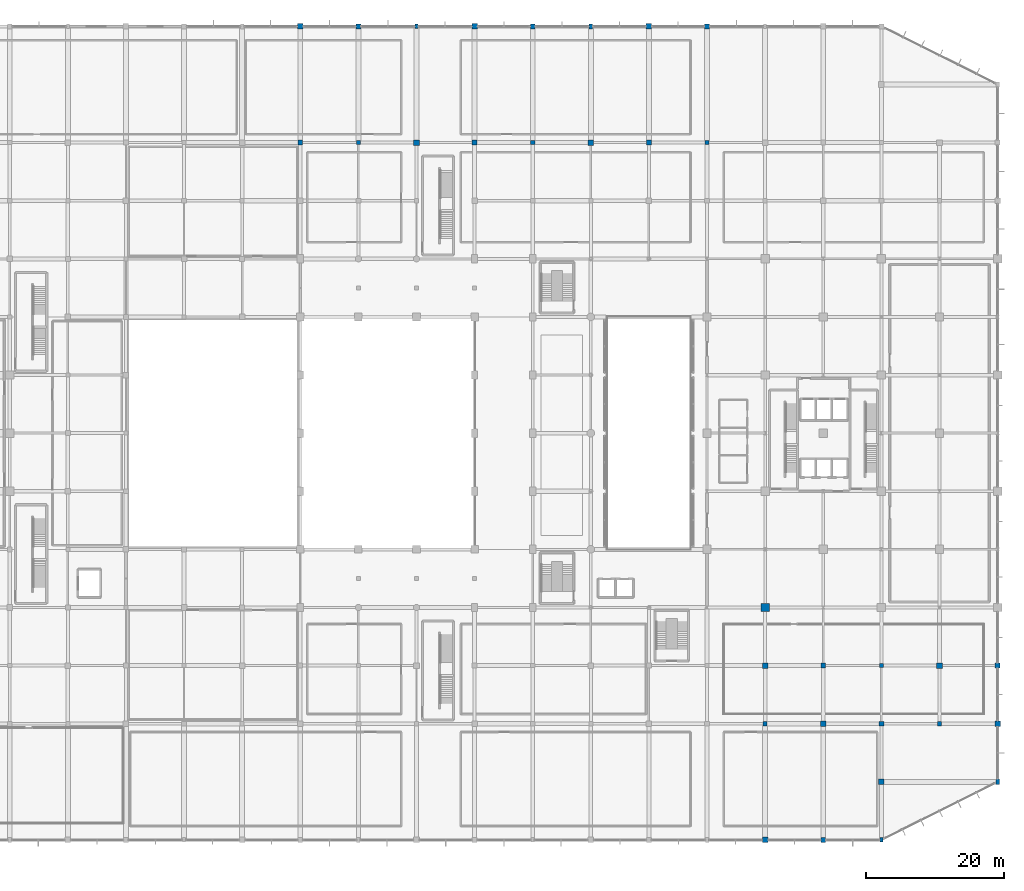
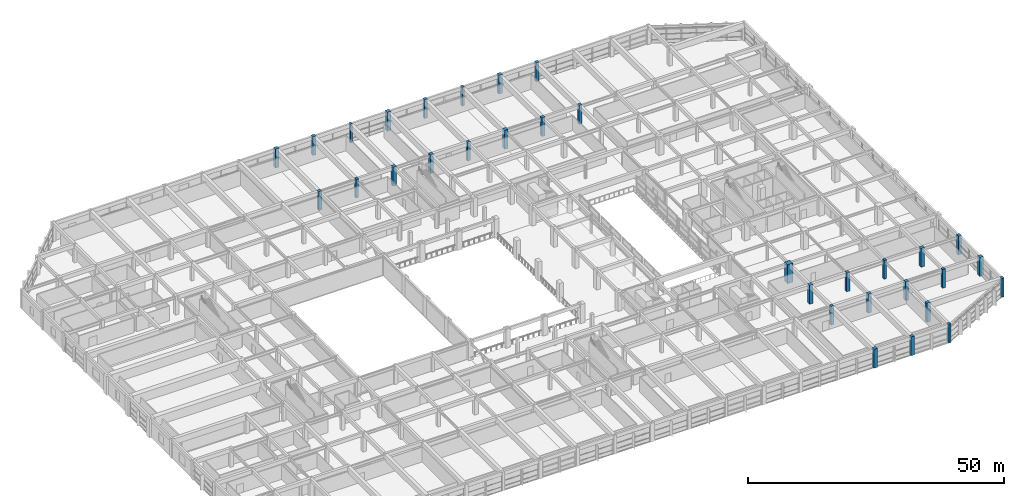
# One storey, part 5 of 65: 32 columns.
"""IFC4 building model written with IfcOpenShell, lengths in metres."""

from ifc_helpers import new_model, si_unit, direction, frame, origin, origin_2d, place, context, subcontext, project, spatial, rectangle, extrude, material, material_profile, profile_set, type_object, element, save


model = new_model("IFC4")

# Units and contexts
model_context = context("Model", 3, precision=1e-05, world=origin(), true_north=direction((0.0, 1.0)))
body_context = subcontext(model_context, "Body", "Model", "MODEL_VIEW")
ifc_project = project(units=[si_unit("LENGTHUNIT", "METRE"), si_unit("AREAUNIT", "SQUARE_METRE"), si_unit("VOLUMEUNIT", "CUBIC_METRE"), si_unit("PLANEANGLEUNIT", "RADIAN"), si_unit("MASSUNIT", "GRAM", prefix="KILO")], contexts=[model_context])

# Site, building, storey
site_placement = place(None, origin())
site = spatial("IfcSite", under=ifc_project, at=site_placement, CompositionType="ELEMENT")
building_placement = place(site_placement, origin())
building = spatial("IfcBuilding", under=site, at=building_placement, Name="Xuanlan Plaza Opera House", CompositionType="ELEMENT")
storey_placement = place(building_placement, frame((0.0, 0.0, 5.39990234375)))
storey = spatial("IfcBuildingStorey", under=building, at=storey_placement, Name="L01", CompositionType="ELEMENT", Elevation=5.39990234375)

# Columns
ifc_material_1 = material(Name="Concrete C60", Category="concrete")
ifc_material_profile_1 = material_profile(ifc_material_1, rectangle(XDim=1.199951171875, YDim=1.199951171875, at=origin_2d()), Name="RC-COL 1200x1200")
ifc_profile_set_1 = profile_set([ifc_material_profile_1], Name="Concrete C60")
column_type_1 = type_object("IfcColumnType", Name="STR-COL-C-02", PredefinedType="COLUMN", material=ifc_profile_set_1)
column_placement = place(storey_placement, frame((134.39990234375, 33.60009765625, 0.0), z_axis=(0.0, 0.0, 1.0), x_axis=(1.0, 0.0, 0.0)))
element("IfcColumn", 1, at=column_placement, inside=storey, type_object=column_type_1, Name="Column L01 17-E", PredefinedType="COLUMN", context=body_context, shape_type="SweptSolid", body=[
    extrude(rectangle(XDim=1.199951171875, YDim=1.199951171875, at=origin_2d()), origin(), (0.0, 0.0, 1.0), 4.5),
])
ifc_material_2 = material(Name="Concrete C40", Category="concrete")
ifc_material_profile_2 = material_profile(ifc_material_2, rectangle(XDim=0.800048828125, YDim=0.800048828125, at=origin_2d()), Name="RC-COL 800x800")
ifc_profile_set_2 = profile_set([ifc_material_profile_2], Name="Concrete C40")
column_type_2 = type_object("IfcColumnType", Name="STR-COL-C-06", PredefinedType="COLUMN", material=ifc_profile_set_2)
for number, where, z_axis, x_axis, name in (
    (2, (67.199951171875, 117.60009765625, 0.0), (0.0, 0.0, 1.0), (1.0, 0.0, 0.0), "Column L01 9-O"),
    (3, (84.0, 100.800048828125, 0.0), (0.0, 0.0, 1.0), (1.0, 0.0, 0.0), "Column L01 11-M"),
    (4, (92.39990234375, 117.60009765625, 0.0), (0.0, 0.0, 1.0), (1.0, 0.0, 0.0), "Column L01 12-O"),
    (5, (109.199951171875, 100.800048828125, 0.0), (0.0, 0.0, 1.0), (1.0, 0.0, 0.0), "Column L01 14-M"),
    (6, (117.60009765625, 117.60009765625, 0.0), (0.0, 0.0, 1.0), (1.0, 0.0, 0.0), "Column L01 15-O"),
    (7, (134.39990234375, 0.0, 0.0), (0.0, 0.0, 1.0), (1.0, 0.0, 0.0), "Column L01 17-A"),
    (8, (134.39990234375, 25.199951171875, 0.0), (0.0, 0.0, 1.0), (1.0, 0.0, 0.0), "Column L01 17-D"),
    (9, (142.800048828125, 16.800048828125, 0.0), (0.0, 0.0, 1.0), (1.0, 0.0, 0.0), "Column L01 18-C"),
    (10, (151.199951171875, 8.39990234375, 0.0), (0.0, 0.0, 1.0), (1.0, 0.0, 0.0), "Column L01 19-B"),
    (11, (159.60009765625, 25.199951171875, 0.0), (0.0, 0.0, 1.0), (1.0, 0.0, 0.0), "Column L01 20-D"),
    (12, (168.0, 16.800048828125, 0.0), (0.0, 0.0, 1.0), (1.0, 0.0, 0.0), "Column L01 21-C"),
):
    element("IfcColumn", number, at=place(storey_placement, frame(where, z_axis=z_axis, x_axis=x_axis)), inside=storey, type_object=column_type_2, Name=name, PredefinedType="COLUMN", context=body_context, shape_type="SweptSolid", body=[
        extrude(rectangle(XDim=0.800048828125, YDim=0.800048828125, at=origin_2d()), origin(), (0.0, 0.0, 1.0), 4.5),
    ])
ifc_material_profile_3 = material_profile(ifc_material_2, rectangle(XDim=0.699951171875, YDim=0.699951171875, at=origin_2d()), Name="RC-COL 700x700")
ifc_profile_set_3 = profile_set([ifc_material_profile_3], Name="Concrete C40")
column_type_3 = type_object("IfcColumnType", Name="STR-COL-C-07", PredefinedType="COLUMN", material=ifc_profile_set_3)
for number, where, z_axis, x_axis, name in (
    (13, (67.199951171875, 100.800048828125, 0.0), (0.0, 0.0, 1.0), (1.0, 0.0, 0.0), "Column L01 9-M"),
    (14, (75.60009765625, 117.60009765625, 0.0), (0.0, 0.0, 1.0), (1.0, 0.0, 0.0), "Column L01 10-O"),
    (15, (92.39990234375, 100.800048828125, 0.0), (0.0, 0.0, 1.0), (1.0, 0.0, 0.0), "Column L01 12-M"),
    (16, (100.800048828125, 117.60009765625, 0.0), (0.0, 0.0, 1.0), (1.0, 0.0, 0.0), "Column L01 13-O"),
    (17, (117.60009765625, 100.800048828125, 0.0), (0.0, 0.0, 1.0), (1.0, 0.0, 0.0), "Column L01 15-M"),
    (18, (126.0, 117.60009765625, 0.0), (0.0, 0.0, 1.0), (1.0, 0.0, 0.0), "Column L01 16-O"),
    (19, (142.800048828125, 0.0, 0.0), (0.0, 0.0, 1.0), (1.0, 0.0, 0.0), "Column L01 18-A"),
    (20, (142.800048828125, 25.199951171875, 0.0), (0.0, 0.0, 1.0), (1.0, 0.0, 0.0), "Column L01 18-D"),
    (21, (151.199951171875, 16.800048828125, 0.0), (0.0, 0.0, 1.0), (1.0, 0.0, 0.0), "Column L01 19-C"),
    (22, (168.0, 25.199951171875, 0.0), (0.0, 0.0, 1.0), (1.0, 0.0, 0.0), "Column L01 21-D"),
):
    element("IfcColumn", number, at=place(storey_placement, frame(where, z_axis=z_axis, x_axis=x_axis)), inside=storey, type_object=column_type_3, Name=name, PredefinedType="COLUMN", context=body_context, shape_type="SweptSolid", body=[
        extrude(rectangle(XDim=0.699951171875, YDim=0.699951171875, at=origin_2d()), origin(), (0.0, 0.0, 1.0), 4.5),
    ])
ifc_material_profile_4 = material_profile(ifc_material_2, rectangle(XDim=0.60009765625, YDim=0.60009765625, at=origin_2d()), Name="RC-COL 600x600")
ifc_profile_set_4 = profile_set([ifc_material_profile_4], Name="Concrete C40")
column_type_4 = type_object("IfcColumnType", Name="STR-COL-C-08", PredefinedType="COLUMN", material=ifc_profile_set_4)
for number, where, z_axis, x_axis, name in (
    (23, (75.60009765625, 100.800048828125, 0.0), (0.0, 0.0, 1.0), (1.0, 0.0, 0.0), "Column L01 10-M"),
    (24, (100.800048828125, 100.800048828125, 0.0), (0.0, 0.0, 1.0), (1.0, 0.0, 0.0), "Column L01 13-M"),
    (25, (126.0, 100.800048828125, 0.0), (0.0, 0.0, 1.0), (1.0, 0.0, 0.0), "Column L01 16-M"),
    (26, (134.39990234375, 16.800048828125, 0.0), (0.0, 0.0, 1.0), (1.0, 0.0, 0.0), "Column L01 17-C"),
    (27, (151.199951171875, 25.199951171875, 0.0), (0.0, 0.0, 1.0), (1.0, 0.0, 0.0), "Column L01 19-D"),
    (28, (159.60009765625, 16.800048828125, 0.0), (0.0, 0.0, 1.0), (1.0, 0.0, 0.0), "Column L01 20-C"),
):
    element("IfcColumn", number, at=place(storey_placement, frame(where, z_axis=z_axis, x_axis=x_axis)), inside=storey, type_object=column_type_4, Name=name, PredefinedType="COLUMN", context=body_context, shape_type="SweptSolid", body=[
        extrude(rectangle(XDim=0.60009765625, YDim=0.60009765625, at=origin_2d()), origin(), (0.0, 0.0, 1.0), 4.5),
    ])
ifc_material_profile_5 = material_profile(ifc_material_2, rectangle(XDim=0.449951171875, YDim=0.64990234375, at=origin_2d()), Name="RC-PIL 450x650")
ifc_profile_set_5 = profile_set([ifc_material_profile_5], Name="Concrete C40")
column_type_5 = type_object("IfcColumnType", Name="STR-COL-PL-01", PredefinedType="PILASTER", material=ifc_profile_set_5)
for number, where, z_axis, x_axis, name in (
    (29, (84.0, 117.60009765625, 0.0), (0.0, 0.0, 1.0), (1.0, 0.0, 0.0), "Column L01 11-O"),
    (30, (151.199951171875, 0.0, 0.0), (0.0, 0.0, 1.0), (1.0, 0.0, 0.0), "Column L01 19-A"),
):
    element("IfcColumn", number, at=place(storey_placement, frame(where, z_axis=z_axis, x_axis=x_axis)), inside=storey, type_object=column_type_5, Name=name, PredefinedType="PILASTER", context=body_context, shape_type="SweptSolid", body=[
        extrude(rectangle(XDim=0.449951171875, YDim=0.64990234375, at=origin_2d()), origin(), (0.0, 0.0, 1.0), 4.5),
    ])
ifc_material_profile_6 = material_profile(ifc_material_2, rectangle(XDim=0.5, YDim=0.75, at=origin_2d()), Name="RC-PIL 500x750")
ifc_profile_set_6 = profile_set([ifc_material_profile_6], Name="Concrete C40")
column_type_6 = type_object("IfcColumnType", Name="STR-COL-PL-02", PredefinedType="PILASTER", material=ifc_profile_set_6)
for number, where, z_axis, x_axis, name in (
    (31, (109.199951171875, 117.60009765625, 0.0), (0.0, 0.0, 1.0), (1.0, 0.0, 0.0), "Column L01 14-O"),
    (32, (168.0, 8.39990234375, 0.0), (0.0, 0.0, 1.0), (1.0, 0.0, 0.0), "Column L01 21-B"),
):
    element("IfcColumn", number, at=place(storey_placement, frame(where, z_axis=z_axis, x_axis=x_axis)), inside=storey, type_object=column_type_6, Name=name, PredefinedType="PILASTER", context=body_context, shape_type="SweptSolid", body=[
        extrude(rectangle(XDim=0.5, YDim=0.75, at=origin_2d()), origin(), (0.0, 0.0, 1.0), 4.5),
    ])

save(model, "model.ifc")
